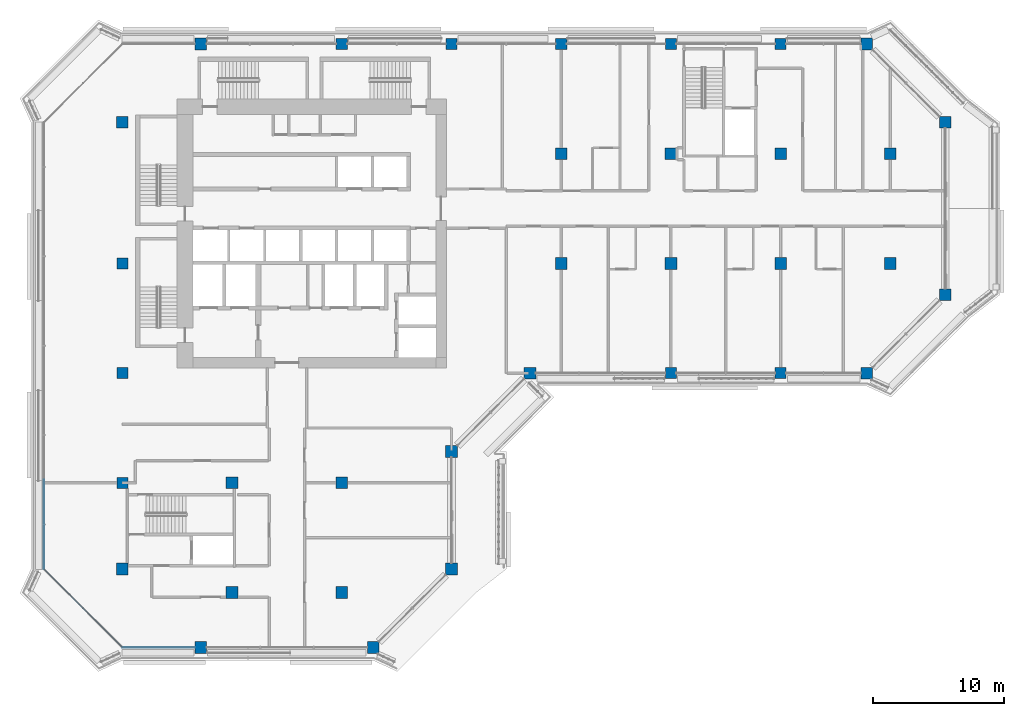
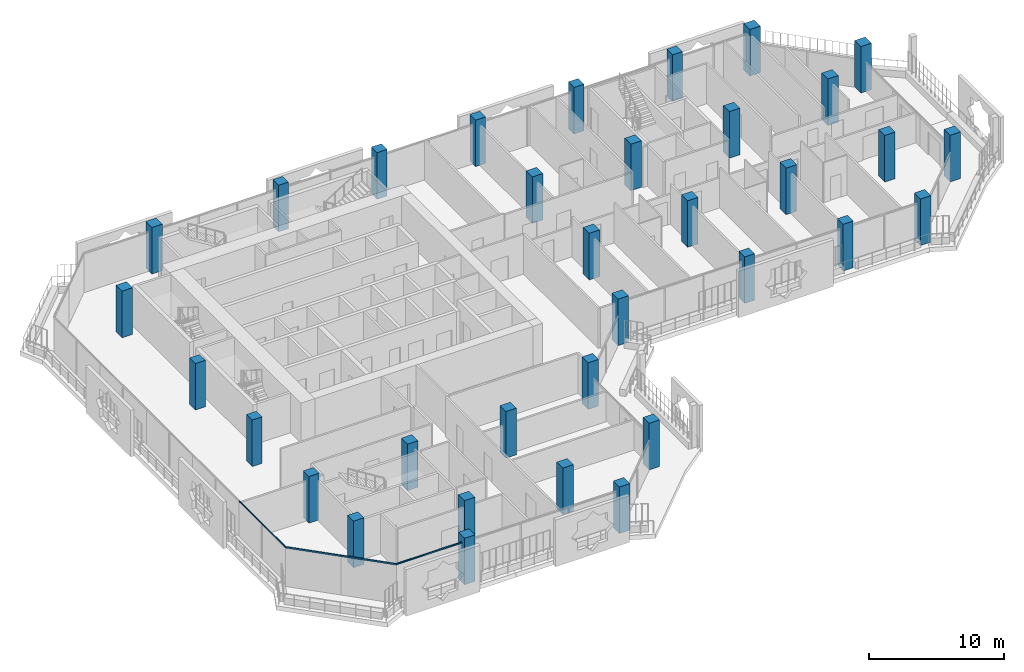
# One storey, part 1 of 21: 34 columns, 4 members, 3 elements without a shape of their own.
"""IFC4 building model written with IfcOpenShell, lengths in metres."""

from ifc_helpers import new_model, si_unit, direction, frame, origin, origin_2d, place, context, subcontext, project, spatial, rectangle, extrude, material, layer, layer_set, material_profile, profile_set, type_object, element, aggregate, save


model = new_model("IFC4")

# Units and contexts
model_context = context("Model", 3, precision=1e-05, world=origin(), true_north=direction((0.0, 1.0)))
body_context = subcontext(model_context, "Body", "Model", "MODEL_VIEW")
ifc_project = project(units=[si_unit("LENGTHUNIT", "METRE"), si_unit("AREAUNIT", "SQUARE_METRE"), si_unit("VOLUMEUNIT", "CUBIC_METRE"), si_unit("PLANEANGLEUNIT", "RADIAN"), si_unit("MASSUNIT", "GRAM", prefix="KILO")], contexts=[model_context])

# Site, building, storey
site_placement = place(None, origin())
site = spatial("IfcSite", under=ifc_project, at=site_placement, CompositionType="ELEMENT")
building_placement = place(site_placement, origin())
building = spatial("IfcBuilding", under=site, at=building_placement, Name="Kawkab Arch Medical Tower", CompositionType="ELEMENT")
storey_placement = place(building_placement, frame((0.0, 0.0, 264.199951171875)))
storey = spatial("IfcBuildingStorey", under=building, at=storey_placement, Name="L61", CompositionType="ELEMENT", Elevation=264.199951171875)

# Columns
ifc_material_1 = material(Name="Concrete C45/55", Category="concrete")
ifc_material_profile_1 = material_profile(ifc_material_1, rectangle(XDim=0.85009765625, YDim=0.85009765625, at=origin_2d()), Name="RC 850x850")
ifc_profile_set_1 = profile_set([ifc_material_profile_1], Name="Concrete C45/55")
column_type_1 = type_object("IfcColumnType", Name="RC 850x850 column C45/55", PredefinedType="COLUMN", material=ifc_profile_set_1)
for number, where, z_axis, x_axis, name in (
    (1, (16.800048828125, 0.0, 0.0), (0.0, 0.0, 1.0), (1.0, 0.0, 0.0), "Column RC 850x850"),
    (2, (25.199951171875, 0.0, 0.0), (0.0, 0.0, 1.0), (1.0, 0.0, 0.0), "Column RC 850x850"),
    (3, (33.60009765625, 0.0, 0.0), (0.0, 0.0, 1.0), (1.0, 0.0, 0.0), "Column RC 850x850"),
    (4, (42.0, 0.0, 0.0), (0.0, 0.0, 1.0), (1.0, 0.0, 0.0), "Column RC 850x850"),
    (5, (50.39990234375, 0.0, 0.0), (0.0, 0.0, 1.0), (1.0, 0.0, 0.0), "Column RC 850x850"),
    (6, (0.0, -16.800048828125, 0.0), (0.0, 0.0, 1.0), (1.0, 0.0, 0.0), "Column RC 850x850"),
    (7, (0.0, -25.199951171875, 0.0), (0.0, 0.0, 1.0), (1.0, 0.0, 0.0), "Column RC 850x850"),
    (8, (42.0, -25.199951171875, 0.0), (0.0, 0.0, 1.0), (1.0, 0.0, 0.0), "Column RC 850x850"),
    (9, (50.39990234375, -25.199951171875, 0.0), (0.0, 0.0, 1.0), (1.0, 0.0, 0.0), "Column RC 850x850"),
    (10, (0.0, -33.60009765625, 0.0), (0.0, 0.0, 1.0), (1.0, 0.0, 0.0), "Column RC 850x850"),
):
    element("IfcColumn", number, at=place(storey_placement, frame(where, z_axis=z_axis, x_axis=x_axis)), inside=storey, type_object=column_type_1, Name=name, PredefinedType="COLUMN", context=body_context, shape_type="SweptSolid", body=[
        extrude(rectangle(XDim=0.85009765625, YDim=0.85009765625, at=origin_2d()), origin(), (0.0, 0.0, 1.0), 4.199951171875),
    ])
ifc_material_2 = material(Name="Concrete C45/55", Category="concrete")
ifc_material_profile_2 = material_profile(ifc_material_2, rectangle(XDim=0.89990234375, YDim=0.89990234375, at=origin_2d()), Name="RC 900x900")
ifc_profile_set_2 = profile_set([ifc_material_profile_2], Name="Concrete C45/55")
column_type_2 = type_object("IfcColumnType", Name="RC 900x900 column C45/55", PredefinedType="COLUMN", material=ifc_profile_set_2)
for number, where, z_axis, x_axis, name in (
    (11, (6.0, 0.0, 0.0), (0.0, 0.0, 1.0), (1.0, 0.0, 0.0), "Column RC 900x900"),
    (12, (57.0, 0.0, 0.0), (0.0, 0.0, 1.0), (1.0, 0.0, 0.0), "Column RC 900x900"),
    (13, (0.0, -6.0, 0.0), (0.0, 0.0, 1.0), (1.0, 0.0, 0.0), "Column RC 900x900"),
    (14, (63.0, -6.0, 0.0), (0.0, 0.0, 1.0), (1.0, 0.0, 0.0), "Column RC 900x900"),
    (15, (33.60009765625, -8.39990234375, 0.0), (0.0, 0.0, 1.0), (1.0, 0.0, 0.0), "Column RC 900x900"),
    (16, (42.0, -8.39990234375, 0.0), (0.0, 0.0, 1.0), (1.0, 0.0, 0.0), "Column RC 900x900"),
    (17, (50.39990234375, -8.39990234375, 0.0), (0.0, 0.0, 1.0), (1.0, 0.0, 0.0), "Column RC 900x900"),
    (18, (58.800048828125, -8.39990234375, 0.0), (0.0, 0.0, 1.0), (1.0, 0.0, 0.0), "Column RC 900x900"),
    (19, (33.60009765625, -16.800048828125, 0.0), (0.0, 0.0, 1.0), (1.0, 0.0, 0.0), "Column RC 900x900"),
    (20, (42.0, -16.800048828125, 0.0), (0.0, 0.0, 1.0), (1.0, 0.0, 0.0), "Column RC 900x900"),
    (21, (50.39990234375, -16.800048828125, 0.0), (0.0, 0.0, 1.0), (1.0, 0.0, 0.0), "Column RC 900x900"),
    (22, (58.800048828125, -16.800048828125, 0.0), (0.0, 0.0, 1.0), (1.0, 0.0, 0.0), "Column RC 900x900"),
    (23, (63.0, -19.199951171875, 0.0), (0.0, 0.0, 1.0), (1.0, 0.0, 0.0), "Column RC 900x900"),
    (24, (31.199951171875, -25.199951171875, 0.0), (0.0, 0.0, 1.0), (1.0, 0.0, 0.0), "Column RC 900x900"),
    (25, (57.0, -25.199951171875, 0.0), (0.0, 0.0, 1.0), (1.0, 0.0, 0.0), "Column RC 900x900"),
    (26, (25.199951171875, -31.199951171875, 0.0), (0.0, 0.0, 1.0), (1.0, 0.0, 0.0), "Column RC 900x900"),
    (27, (8.39990234375, -33.60009765625, 0.0), (0.0, 0.0, 1.0), (1.0, 0.0, 0.0), "Column RC 900x900"),
    (28, (16.800048828125, -33.60009765625, 0.0), (0.0, 0.0, 1.0), (1.0, 0.0, 0.0), "Column RC 900x900"),
    (29, (0.0, -40.199951171875, 0.0), (0.0, 0.0, 1.0), (1.0, 0.0, 0.0), "Column RC 900x900"),
    (30, (25.199951171875, -40.199951171875, 0.0), (0.0, 0.0, 1.0), (1.0, 0.0, 0.0), "Column RC 900x900"),
    (31, (8.39990234375, -42.0, 0.0), (0.0, 0.0, 1.0), (1.0, 0.0, 0.0), "Column RC 900x900"),
    (32, (16.800048828125, -42.0, 0.0), (0.0, 0.0, 1.0), (1.0, 0.0, 0.0), "Column RC 900x900"),
    (33, (6.0, -46.199951171875, 0.0), (0.0, 0.0, 1.0), (1.0, 0.0, 0.0), "Column RC 900x900"),
    (34, (19.199951171875, -46.199951171875, 0.0), (0.0, 0.0, 1.0), (1.0, 0.0, 0.0), "Column RC 900x900"),
):
    element("IfcColumn", number, at=place(storey_placement, frame(where, z_axis=z_axis, x_axis=x_axis)), inside=storey, type_object=column_type_2, Name=name, PredefinedType="COLUMN", context=body_context, shape_type="SweptSolid", body=[
        extrude(rectangle(XDim=0.89990234375, YDim=0.89990234375, at=origin_2d()), origin(), (0.0, 0.0, 1.0), 4.199951171875),
    ])

# Curtain wall, member
ifc_material_3 = material(Name="Bronze anodised aluminium curtain wall frame", Category="aluminium")
ifc_layer_1 = layer(ifc_material_3, 0.159912109375)
ifc_layer_set_1 = layer_set([ifc_layer_1], Name="Bronze anodised aluminium curtain wall frame")
curtain_wall_type_1 = type_object("IfcCurtainWallType", Name="CW1 ward curtain wall", PredefinedType="NOTDEFINED", material=ifc_layer_set_1)
placement = place(storey_placement, origin())
curtain_wall_1 = element("IfcCurtainWall", 35, at=placement, inside=storey, type_object=curtain_wall_type_1, Name="CW1 Ward curtain wall R01", PredefinedType="NOTDEFINED")
ifc_material_4 = material(Name="Bronze anodised aluminium curtain wall frame", Category="aluminium")
ifc_material_profile_3 = material_profile(ifc_material_4, rectangle(XDim=0.06005859375, YDim=0.1201171875, at=origin_2d()), Name="AL 60x120")
ifc_profile_set_3 = profile_set([ifc_material_profile_3], Name="Bronze anodised aluminium curtain wall frame")
member_type_1 = type_object("IfcMemberType", Name="CW1 transom 120 x 60", PredefinedType="USERDEFINED", material=ifc_profile_set_3)
member_1_placement = place(storey_placement, frame((-6.0, -33.360107421875, 3.5400390625), z_axis=(0.0, -1.0, 0.0), x_axis=(1.0, 0.0, 0.0)))
member_1 = element("IfcMember", 36, at=member_1_placement, type_object=member_type_1, Name="CW1 transom 5", ObjectType="TRANSOM", PredefinedType="USERDEFINED", context=body_context, shape_type="SweptSolid", body=[
    extrude(rectangle(XDim=0.06005859375, YDim=0.1201171875, at=origin_2d()), origin(), (0.0, 0.0, 1.0), 6.83984375),
])
aggregate(curtain_wall_1, [member_1])

curtain_wall_2 = element("IfcCurtainWall", 37, at=placement, inside=storey, type_object=curtain_wall_type_1, Name="CW1 Ward curtain wall R03", PredefinedType="NOTDEFINED")
member_2_placement = place(storey_placement, frame((0.0, -46.199951171875, 3.5400390625), z_axis=(1.0, 0.0, 0.0), x_axis=(0.0, 1.0, 0.0)))
member_2 = element("IfcMember", 38, at=member_2_placement, type_object=member_type_1, Name="CW1 transom 1", ObjectType="TRANSOM", PredefinedType="USERDEFINED", context=body_context, shape_type="SweptSolid", body=[
    extrude(rectangle(XDim=0.06005859375, YDim=0.1201171875, at=origin_2d()), origin(), (0.0, 0.0, 1.0), 5.550048828125),
])
aggregate(curtain_wall_2, [member_2])

# Curtain wall, members
ifc_material_5 = material(Name="Bronze anodised aluminium curtain wall frame", Category="aluminium")
ifc_layer_2 = layer(ifc_material_5, 0.159912109375)
ifc_layer_set_2 = layer_set([ifc_layer_2], Name="Bronze anodised aluminium curtain wall frame")
curtain_wall_type_2 = type_object("IfcCurtainWallType", Name="CW2 chamfer curtain wall", PredefinedType="NOTDEFINED", material=ifc_layer_set_2)
curtain_wall_3 = element("IfcCurtainWall", 39, at=placement, inside=storey, type_object=curtain_wall_type_2, Name="CW2 Chamfer curtain wall R02", PredefinedType="NOTDEFINED")
ifc_material_6 = material(Name="Bronze anodised aluminium curtain wall frame", Category="aluminium")
ifc_material_profile_4 = material_profile(ifc_material_6, rectangle(XDim=0.06005859375, YDim=0.139892578125, at=origin_2d()), Name="AL 60x140")
ifc_profile_set_4 = profile_set([ifc_material_profile_4], Name="Bronze anodised aluminium curtain wall frame")
member_type_2 = type_object("IfcMemberType", Name="CW2 transom 140 x 60", PredefinedType="USERDEFINED", material=ifc_profile_set_4)
member_3_placement = place(storey_placement, frame((-6.0, -40.199951171875, 3.530029296875), z_axis=(0.707106781187, -0.707106781187, 0.0), x_axis=(0.707106781187, 0.707106781187, 0.0)))
member_3 = element("IfcMember", 40, at=member_3_placement, type_object=member_type_2, Name="CW2 transom 1", ObjectType="TRANSOM", PredefinedType="USERDEFINED", context=body_context, shape_type="SweptSolid", body=[
    extrude(rectangle(XDim=0.06005859375, YDim=0.139892578125, at=origin_2d()), origin(), (0.0, 0.0, 1.0), 4.24267578125),
])
member_4_placement = place(storey_placement, frame((-3.0, -43.199951171875, 3.530029296875), z_axis=(0.707106781187, -0.707106781187, 0.0), x_axis=(0.707106781187, 0.707106781187, 0.0)))
member_4 = element("IfcMember", 41, at=member_4_placement, type_object=member_type_2, Name="CW2 transom 2", ObjectType="TRANSOM", PredefinedType="USERDEFINED", context=body_context, shape_type="SweptSolid", body=[
    extrude(rectangle(XDim=0.06005859375, YDim=0.139892578125, at=origin_2d()), origin(), (0.0, 0.0, 1.0), 4.24267578125),
])
aggregate(curtain_wall_3, [member_3, member_4])

save(model, "model.ifc")
